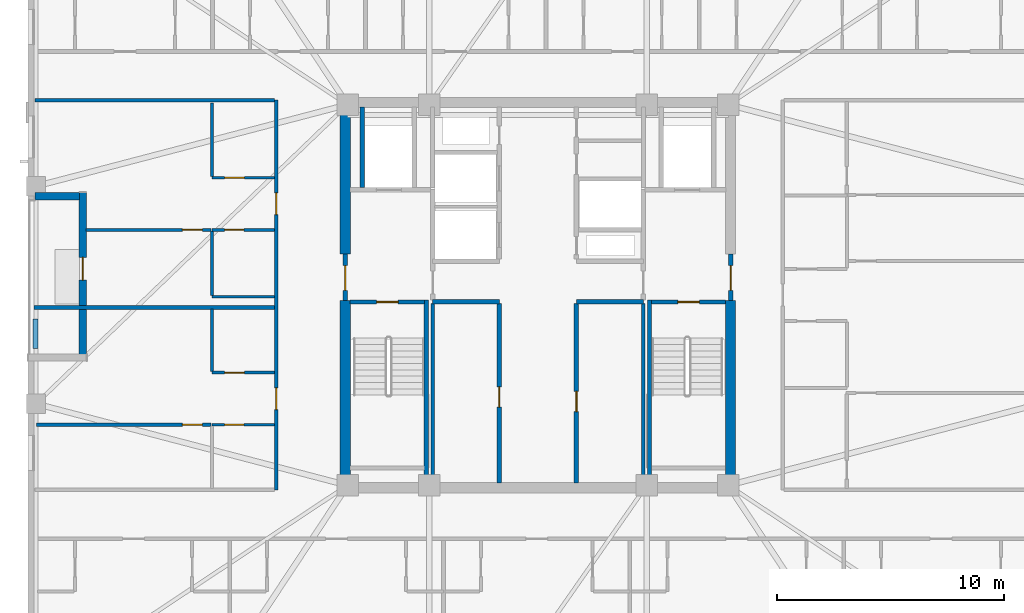
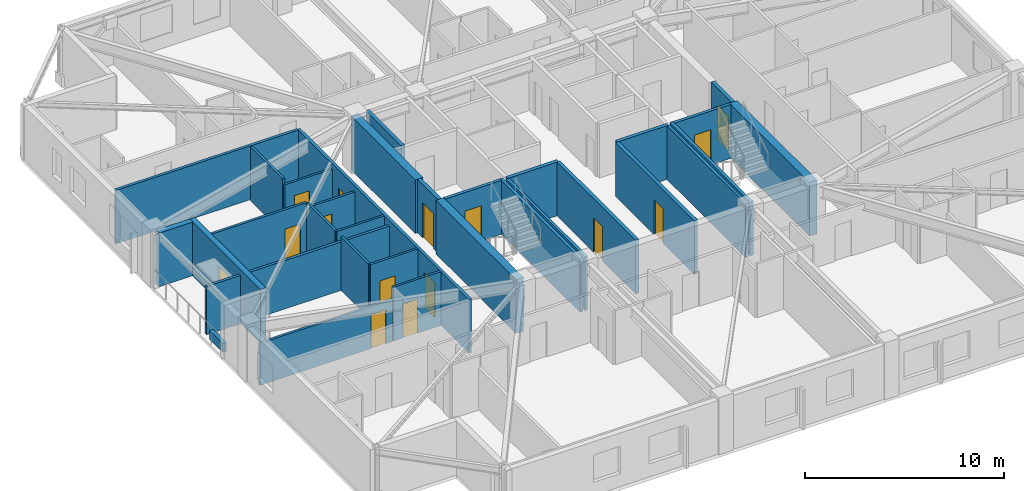
# One storey, part 8 of 17: 32 walls, 15 doors, 15 openings.
"""IFC4 building model written with IfcOpenShell, lengths in metres."""

from ifc_helpers import new_model, si_unit, direction, frame, frame_2d, origin, place, context, subcontext, project, spatial, rectangle, extrude, material, layer, layer_set, type_object, element, fill, save


model = new_model("IFC4")

# Units and contexts
model_context = context("Model", 3, precision=1e-05, world=origin(), true_north=direction((0.0, 1.0)))
body_context = subcontext(model_context, "Body", "Model", "MODEL_VIEW")
ifc_project = project(units=[si_unit("LENGTHUNIT", "METRE"), si_unit("AREAUNIT", "SQUARE_METRE"), si_unit("VOLUMEUNIT", "CUBIC_METRE"), si_unit("PLANEANGLEUNIT", "RADIAN"), si_unit("MASSUNIT", "GRAM", prefix="KILO")], contexts=[model_context])

# Site, building, storey
site_placement = place(None, origin())
site = spatial("IfcSite", under=ifc_project, at=site_placement, CompositionType="ELEMENT")
building_placement = place(site_placement, origin())
building = spatial("IfcBuilding", under=site, at=building_placement, Name="Cairnveth Concourse Tower", CompositionType="ELEMENT")
storey_placement = place(building_placement, frame((0.0, 0.0, 244.5)))
storey = spatial("IfcBuildingStorey", under=building, at=storey_placement, Name="L67", CompositionType="ELEMENT", Elevation=244.5)

# Walls
ifc_material_1 = material(Name="Gypsum Plasterboard Partition", Category="gypsum")
ifc_layer_1 = layer(ifc_material_1, 0.159912109375)
ifc_layer_set_1 = layer_set([ifc_layer_1], Name="Gypsum Plasterboard Partition")
wall_type_1 = type_object("IfcWallType", Name="ACOUSTIC PARTY WALL 180", PredefinedType="PARTITIONING", material=ifc_layer_set_1)
for number, where, z_axis, x_axis, name in (
    (1, (47.35009765625, 30.7099609375, 0.0), (0.0, 0.0, 1.0), (0.0, 1.0, 0.0), "Interior Wall IW-L67-025"),
    (2, (56.64990234375, 30.7099609375, 0.0), (0.0, 0.0, 1.0), (0.0, 1.0, 0.0), "Interior Wall IW-L67-026"),
):
    element("IfcWall", number, at=place(storey_placement, frame(where, z_axis=z_axis, x_axis=x_axis)), inside=storey, type_object=wall_type_1, Name=name, PredefinedType="PARTITIONING", context=body_context, shape_type="SweptSolid", body=[
        extrude(rectangle(XDim=7.905029296875, YDim=0.159912109375, at=frame_2d((3.95263671875, 0.0))), origin(), (0.0, 0.0, 1.0), 3.2900390625),
    ])

# Wall, openings, doors
wall_1_placement = place(storey_placement, frame((40.449951171875, 30.39990234375, 0.0), z_axis=(0.0, 0.0, 1.0), x_axis=(0.0, 1.0, 0.0)))
wall_1 = element("IfcWall", 3, at=wall_1_placement, inside=storey, type_object=wall_type_1, Name="Interior Wall IW-L67-036", PredefinedType="PARTITIONING", context=body_context, shape_type="SweptSolid", body=[
    extrude(rectangle(XDim=17.2001953125, YDim=0.159912109375, at=frame_2d((8.60009765625, 0.0))), origin(), (0.0, 0.0, 1.0), 3.2900390625),
])
opening_1_placement = place(wall_1_placement, frame((3.544921875, 0.0, 0.0)))
opening_1 = element("IfcOpeningElement", 4, at=opening_1_placement, cuts=wall_1, Name="Opening ID10", PredefinedType="OPENING", context=body_context, shape_type="SweptSolid", body=[
    extrude(rectangle(XDim=0.9599609375, YDim=2.179931640625, at=frame_2d((0.47998046875, 1.08984375))), frame((0.0, 0.08984375, 0.0), z_axis=(0.0, -1.0, 0.0), x_axis=(1.0, 0.0, 0.0)), (0.0, 0.0, 1.0), 0.179931640625),
])
opening_2_placement = place(wall_1_placement, frame((12.14501953125, 0.0, 0.0)))
opening_2 = element("IfcOpeningElement", 5, at=opening_2_placement, cuts=wall_1, Name="Opening ID10", PredefinedType="OPENING", context=body_context, shape_type="SweptSolid", body=[
    extrude(rectangle(XDim=0.9599609375, YDim=2.179931640625, at=frame_2d((0.47998046875, 1.08984375))), frame((0.0, 0.08984375, 0.0), z_axis=(0.0, -1.0, 0.0), x_axis=(1.0, 0.0, 0.0)), (0.0, 0.0, 1.0), 0.179931640625),
])
ifc_material_2 = material(Name="Solid Core Hardwood Timber Leaf", Category="wood")
door_type_1 = type_object("IfcDoorType", Name="FLAT ENTRANCE DOOR 960X2150", OperationType="NOTDEFINED", PredefinedType="DOOR", material=ifc_material_2)
door_1_placement = place(opening_1_placement, origin())
door_1 = element("IfcDoor", 6, at=door_1_placement, inside=storey, type_object=door_type_1, Name="Apartment L67W1 Entrance Door", OperationType="SINGLE_SWING_LEFT", OverallHeight=2.179931640625, OverallWidth=0.9599609375, PredefinedType="DOOR", context=body_context, shape_type="SweptSolid", body=[
    extrude(rectangle(XDim=0.9599609375, YDim=2.179931640625, at=frame_2d((0.47998046875, 1.08984375))), frame((0.0, 0.02490234375, 0.0), z_axis=(0.0, -1.0, 0.0), x_axis=(1.0, 0.0, 0.0)), (0.0, 0.0, 1.0), 0.050048828125),
])
fill(opening_1, door_1)
door_2_placement = place(opening_2_placement, origin())
door_2 = element("IfcDoor", 7, at=door_2_placement, inside=storey, type_object=door_type_1, Name="Apartment L67W2 Entrance Door", OperationType="SINGLE_SWING_LEFT", OverallHeight=2.179931640625, OverallWidth=0.9599609375, PredefinedType="DOOR", context=body_context, shape_type="SweptSolid", body=[
    extrude(rectangle(XDim=0.9599609375, YDim=2.179931640625, at=frame_2d((0.47998046875, 1.08984375))), frame((0.0, 0.02490234375, 0.0), z_axis=(0.0, -1.0, 0.0), x_axis=(1.0, 0.0, 0.0)), (0.0, 0.0, 1.0), 0.050048828125),
])
fill(opening_2, door_2)

# Walls
wall_2_placement = place(storey_placement, frame((29.804931640625, 47.60009765625, 0.0), z_axis=(0.0, 0.0, 1.0), x_axis=(1.0, 0.0, 0.0)))
element("IfcWall", 8, at=wall_2_placement, inside=storey, type_object=wall_type_1, Name="Interior Wall IW-L67-039", PredefinedType="PARTITIONING", context=body_context, shape_type="SweptSolid", body=[
    extrude(rectangle(XDim=10.580078125, YDim=0.159912109375, at=frame_2d((5.2900390625, 0.0))), origin(), (0.0, 0.0, 1.0), 3.2900390625),
])
wall_3_placement = place(storey_placement, frame((29.77001953125, 38.449951171875, 0.0), z_axis=(0.0, 0.0, 1.0), x_axis=(1.0, 0.0, 0.0)))
element("IfcWall", 9, at=wall_3_placement, inside=storey, type_object=wall_type_1, Name="Interior Wall IW-L67-095", PredefinedType="PARTITIONING", context=body_context, shape_type="SweptSolid", body=[
    extrude(rectangle(XDim=10.60009765625, YDim=0.159912109375, at=frame_2d((5.300048828125, 0.0))), origin(), (0.0, 0.0, 1.0), 2.9580078125),
])
ifc_material_3 = material(Name="Concrete N65 (65 MPa)", Category="concrete")
ifc_layer_2 = layer(ifc_material_3, 0.449951171875)
ifc_layer_set_2 = layer_set([ifc_layer_2], Name="Concrete N65 (65 MPa)")
wall_type_2 = type_object("IfcWallType", Name="CORE SHEAR WALL 450", PredefinedType="SHEAR", material=ifc_layer_set_2)
wall_4_placement = place(storey_placement, frame((43.5, 30.715087890625, 0.0), z_axis=(0.0, 0.0, 1.0), x_axis=(0.0, 1.0, 0.0)))
element("IfcWall", 10, at=wall_4_placement, inside=storey, type_object=wall_type_2, Name="Core West Shear Wall S L67", PredefinedType="SHEAR", context=body_context, shape_type="SweptSolid", body=[
    extrude(rectangle(XDim=8.034912109375, YDim=0.449951171875, at=frame_2d((4.017578125, 0.0))), origin(), (0.0, 0.0, 1.0), 3.2900390625),
])
wall_5_placement = place(storey_placement, frame((43.5, 40.800048828125, 0.0), z_axis=(0.0, 0.0, 1.0), x_axis=(0.0, 1.0, 0.0)))
element("IfcWall", 11, at=wall_5_placement, inside=storey, type_object=wall_type_2, Name="Core West Shear Wall N L67", PredefinedType="SHEAR", context=body_context, shape_type="SweptSolid", body=[
    extrude(rectangle(XDim=6.48486328125, YDim=0.449951171875, at=frame_2d((3.242431640625, 0.0))), origin(), (0.0, 0.0, 1.0), 3.2900390625),
])
wall_6_placement = place(storey_placement, frame((60.5, 30.715087890625, 0.0), z_axis=(0.0, 0.0, 1.0), x_axis=(0.0, 1.0, 0.0)))
element("IfcWall", 12, at=wall_6_placement, inside=storey, type_object=wall_type_2, Name="Core East Shear Wall S L67", PredefinedType="SHEAR", context=body_context, shape_type="SweptSolid", body=[
    extrude(rectangle(XDim=8.034912109375, YDim=0.449951171875, at=frame_2d((4.017578125, 0.0))), origin(), (0.0, 0.0, 1.0), 3.2900390625),
])

# Wall, opening, door
ifc_material_4 = material(Name="Concrete N50 (50 MPa)", Category="concrete")
ifc_layer_3 = layer(ifc_material_4, 0.179931640625)
ifc_layer_set_3 = layer_set([ifc_layer_3], Name="Concrete N50 (50 MPa)")
wall_type_3 = type_object("IfcWallType", Name="FIRE SHAFT WALL 180", PredefinedType="SOLIDWALL", material=ifc_layer_set_3)
wall_7_placement = place(storey_placement, frame((43.715087890625, 38.68994140625, 0.0), z_axis=(0.0, 0.0, 1.0), x_axis=(1.0, 0.0, 0.0)))
wall_7 = element("IfcWall", 13, at=wall_7_placement, inside=storey, type_object=wall_type_3, Name="Stair ST-1 Shaft Wall NEAR L67", PredefinedType="SOLIDWALL", context=body_context, shape_type="SweptSolid", body=[
    extrude(rectangle(XDim=3.280029296875, YDim=0.179931640625, at=frame_2d((1.64013671875, 0.0))), origin(), (0.0, 0.0, 1.0), 3.2900390625),
])
opening_3_placement = place(wall_7_placement, frame((1.1650390625, 0.0, 0.0)))
opening_3 = element("IfcOpeningElement", 14, at=opening_3_placement, cuts=wall_7, Name="Opening ID12", PredefinedType="OPENING", context=body_context, shape_type="SweptSolid", body=[
    extrude(rectangle(XDim=0.949951171875, YDim=2.14990234375, at=frame_2d((0.47509765625, 1.074951171875))), frame((0.0, 0.099853515625, 0.0), z_axis=(0.0, -1.0, 0.0), x_axis=(1.0, 0.0, 0.0)), (0.0, 0.0, 1.0), 0.199951171875),
])
ifc_material_5 = material(Name="Steel Grade 350", Category="steel")
door_type_2 = type_object("IfcDoorType", Name="FIRE STAIR DOOR 950X2150", OperationType="NOTDEFINED", PredefinedType="DOOR", material=ifc_material_5)
door_3_placement = place(opening_3_placement, origin())
door_3 = element("IfcDoor", 15, at=door_3_placement, inside=storey, type_object=door_type_2, Name="Stair ST-1 Fire Door L67", OperationType="SINGLE_SWING_LEFT", OverallHeight=2.14990234375, OverallWidth=0.949951171875, PredefinedType="DOOR", context=body_context, shape_type="SweptSolid", body=[
    extrude(rectangle(XDim=0.949951171875, YDim=2.14990234375, at=frame_2d((0.47509765625, 1.074951171875))), frame((0.0, 0.02490234375, 0.0), z_axis=(0.0, -1.0, 0.0), x_axis=(1.0, 0.0, 0.0)), (0.0, 0.0, 1.0), 0.050048828125),
])
fill(opening_3, door_3)

# Wall
wall_8_placement = place(storey_placement, frame((47.070068359375, 38.780029296875, 0.0), z_axis=(0.0, 0.0, 1.0), x_axis=(0.0, -1.0, 0.0)))
element("IfcWall", 16, at=wall_8_placement, inside=storey, type_object=wall_type_3, Name="Stair ST-1 Shaft Wall RGHT L67", PredefinedType="SOLIDWALL", context=body_context, shape_type="SweptSolid", body=[
    extrude(rectangle(XDim=8.067138671875, YDim=0.179931640625, at=frame_2d((4.03369140625, 0.0))), origin(), (0.0, 0.0, 1.0), 3.2900390625),
])

# Wall, opening, door
wall_9_placement = place(storey_placement, frame((57.0048828125, 38.68994140625, 0.0), z_axis=(0.0, 0.0, 1.0), x_axis=(1.0, 0.0, 0.0)))
wall_9 = element("IfcWall", 17, at=wall_9_placement, inside=storey, type_object=wall_type_3, Name="Stair ST-2 Shaft Wall NEAR L67", PredefinedType="SOLIDWALL", context=body_context, shape_type="SweptSolid", body=[
    extrude(rectangle(XDim=3.280029296875, YDim=0.179931640625, at=frame_2d((1.64013671875, 0.0))), origin(), (0.0, 0.0, 1.0), 3.2900390625),
])
opening_4_placement = place(wall_9_placement, frame((1.1650390625, 0.0, 0.0)))
opening_4 = element("IfcOpeningElement", 18, at=opening_4_placement, cuts=wall_9, Name="Opening ID12", PredefinedType="OPENING", context=body_context, shape_type="SweptSolid", body=[
    extrude(rectangle(XDim=0.949951171875, YDim=2.14990234375, at=frame_2d((0.47509765625, 1.074951171875))), frame((0.0, 0.099853515625, 0.0), z_axis=(0.0, -1.0, 0.0), x_axis=(1.0, 0.0, 0.0)), (0.0, 0.0, 1.0), 0.199951171875),
])
door_4_placement = place(opening_4_placement, origin())
door_4 = element("IfcDoor", 19, at=door_4_placement, inside=storey, type_object=door_type_2, Name="Stair ST-2 Fire Door L67", OperationType="SINGLE_SWING_RIGHT", OverallHeight=2.14990234375, OverallWidth=0.949951171875, PredefinedType="DOOR", context=body_context, shape_type="SweptSolid", body=[
    extrude(rectangle(XDim=0.949951171875, YDim=2.14990234375, at=frame_2d((0.47509765625, 1.074951171875))), frame((0.0, 0.02490234375, 0.0), z_axis=(0.0, -1.0, 0.0), x_axis=(1.0, 0.0, 0.0)), (0.0, 0.0, 1.0), 0.050048828125),
])
fill(opening_4, door_4)

# Walls
wall_10_placement = place(storey_placement, frame((56.929931640625, 38.780029296875, 0.0), z_axis=(0.0, 0.0, 1.0), x_axis=(0.0, -1.0, 0.0)))
element("IfcWall", 20, at=wall_10_placement, inside=storey, type_object=wall_type_3, Name="Stair ST-2 Shaft Wall LEFT L67", PredefinedType="SOLIDWALL", context=body_context, shape_type="SweptSolid", body=[
    extrude(rectangle(XDim=8.067138671875, YDim=0.179931640625, at=frame_2d((4.03369140625, 0.0))), origin(), (0.0, 0.0, 1.0), 3.2900390625),
])
ifc_layer_4 = layer(ifc_material_4, 0.199951171875)
ifc_layer_set_4 = layer_set([ifc_layer_4], Name="Concrete N50 (50 MPa)")
wall_type_4 = type_object("IfcWallType", Name="FIRE SHAFT WALL 200", PredefinedType="SOLIDWALL", material=ifc_layer_set_4)
for number, where, z_axis, x_axis, name in (
    (21, (47.35009765625, 38.699951171875, 0.0), (0.0, 0.0, 1.0), (1.0, 0.0, 0.0), "Interior Wall IW-L67-007"),
    (22, (53.699951171875, 38.699951171875, 0.0), (0.0, 0.0, 1.0), (1.0, 0.0, 0.0), "Interior Wall IW-L67-009"),
):
    element("IfcWall", number, at=place(storey_placement, frame(where, z_axis=z_axis, x_axis=x_axis)), inside=storey, type_object=wall_type_4, Name=name, PredefinedType="SOLIDWALL", context=body_context, shape_type="SweptSolid", body=[
        extrude(rectangle(XDim=2.949951171875, YDim=0.199951171875, at=frame_2d((1.47509765625, 0.0))), origin(), (0.0, 0.0, 1.0), 3.2900390625),
    ])

# Wall, opening, door
wall_11_placement = place(storey_placement, frame((50.300048828125, 30.7099609375, 0.0), z_axis=(0.0, 0.0, 1.0), x_axis=(0.0, 1.0, 0.0)))
wall_11 = element("IfcWall", 23, at=wall_11_placement, inside=storey, type_object=wall_type_4, Name="Interior Wall IW-L67-011", PredefinedType="SOLIDWALL", context=body_context, shape_type="SweptSolid", body=[
    extrude(rectangle(XDim=7.905029296875, YDim=0.199951171875, at=frame_2d((3.95263671875, 0.0))), origin(), (0.0, 0.0, 1.0), 3.2900390625),
])
opening_5_placement = place(wall_11_placement, frame((3.340087890625, 0.0, 0.0)))
opening_5 = element("IfcOpeningElement", 24, at=opening_5_placement, cuts=wall_11, Name="Opening ID16", PredefinedType="OPENING", context=body_context, shape_type="SweptSolid", body=[
    extrude(rectangle(XDim=0.89990234375, YDim=2.1201171875, at=frame_2d((0.449951171875, 1.06005859375))), frame((0.0, 0.10986328125, 0.0), z_axis=(0.0, -1.0, 0.0), x_axis=(1.0, 0.0, 0.0)), (0.0, 0.0, 1.0), 0.219970703125),
])
door_type_3 = type_object("IfcDoorType", Name="CORE SERVICE DOOR 900X2100", OperationType="NOTDEFINED", PredefinedType="DOOR", material=ifc_material_5)
door_5_placement = place(opening_5_placement, origin())
door_5 = element("IfcDoor", 25, at=door_5_placement, inside=storey, type_object=door_type_3, Name="Linen Pantry Suite Door L67", OperationType="SINGLE_SWING_LEFT", OverallHeight=2.1201171875, OverallWidth=0.89990234375, PredefinedType="DOOR", context=body_context, shape_type="SweptSolid", body=[
    extrude(rectangle(XDim=0.89990234375, YDim=2.1201171875, at=frame_2d((0.449951171875, 1.06005859375))), frame((0.0, 0.02490234375, 0.0), z_axis=(0.0, -1.0, 0.0), x_axis=(1.0, 0.0, 0.0)), (0.0, 0.0, 1.0), 0.050048828125),
])
fill(opening_5, door_5)

wall_12_placement = place(storey_placement, frame((53.699951171875, 30.7099609375, 0.0), z_axis=(0.0, 0.0, 1.0), x_axis=(0.0, 1.0, 0.0)))
wall_12 = element("IfcWall", 26, at=wall_12_placement, inside=storey, type_object=wall_type_4, Name="Interior Wall IW-L67-012", PredefinedType="SOLIDWALL", context=body_context, shape_type="SweptSolid", body=[
    extrude(rectangle(XDim=7.905029296875, YDim=0.199951171875, at=frame_2d((3.95263671875, 0.0))), origin(), (0.0, 0.0, 1.0), 3.2900390625),
])
opening_6_placement = place(wall_12_placement, frame((3.139892578125, 0.0, 0.0)))
opening_6 = element("IfcOpeningElement", 27, at=opening_6_placement, cuts=wall_12, Name="Opening ID16", PredefinedType="OPENING", context=body_context, shape_type="SweptSolid", body=[
    extrude(rectangle(XDim=0.89990234375, YDim=2.1201171875, at=frame_2d((0.449951171875, 1.06005859375))), frame((0.0, 0.10986328125, 0.0), z_axis=(0.0, -1.0, 0.0), x_axis=(1.0, 0.0, 0.0)), (0.0, 0.0, 1.0), 0.219970703125),
])
door_6_placement = place(opening_6_placement, origin())
door_6 = element("IfcDoor", 28, at=door_6_placement, inside=storey, type_object=door_type_3, Name="Sky Pantry Door L67", OperationType="SINGLE_SWING_RIGHT", OverallHeight=2.1201171875, OverallWidth=0.89990234375, PredefinedType="DOOR", context=body_context, shape_type="SweptSolid", body=[
    extrude(rectangle(XDim=0.89990234375, YDim=2.1201171875, at=frame_2d((0.449951171875, 1.06005859375))), frame((0.0, 0.02490234375, 0.0), z_axis=(0.0, -1.0, 0.0), x_axis=(1.0, 0.0, 0.0)), (0.0, 0.0, 1.0), 0.050048828125),
])
fill(opening_6, door_6)

wall_13_placement = place(storey_placement, frame((43.5, 38.75, 0.0), z_axis=(0.0, 0.0, 1.0), x_axis=(0.0, 1.0, 0.0)))
wall_13 = element("IfcWall", 29, at=wall_13_placement, inside=storey, type_object=wall_type_4, Name="Interior Wall IW-L67-015", PredefinedType="SOLIDWALL", context=body_context, shape_type="SweptSolid", body=[
    extrude(rectangle(XDim=2.050048828125, YDim=0.199951171875, at=frame_2d((1.02490234375, 0.0))), origin(), (0.0, 0.0, 1.0), 3.2900390625),
])
opening_7_placement = place(wall_13_placement, frame((0.449951171875, 0.0, 0.0)))
opening_7 = element("IfcOpeningElement", 30, at=opening_7_placement, cuts=wall_13, Name="Opening ID06", PredefinedType="OPENING", context=body_context, shape_type="SweptSolid", body=[
    extrude(rectangle(XDim=1.10009765625, YDim=2.14990234375, at=frame_2d((0.550048828125, 1.074951171875))), frame((0.0, 0.10986328125, 0.0), z_axis=(0.0, -1.0, 0.0), x_axis=(1.0, 0.0, 0.0)), (0.0, 0.0, 1.0), 0.219970703125),
])
door_type_4 = type_object("IfcDoorType", Name="FIRE CORRIDOR DOOR 1100X2150", OperationType="NOTDEFINED", PredefinedType="DOOR", material=ifc_material_5)
door_7_placement = place(opening_7_placement, origin())
door_7 = element("IfcDoor", 31, at=door_7_placement, inside=storey, type_object=door_type_4, Name="West Wing to FF Lobby Door L67", OperationType="SINGLE_SWING_LEFT", OverallHeight=2.14990234375, OverallWidth=1.10009765625, PredefinedType="DOOR", context=body_context, shape_type="SweptSolid", body=[
    extrude(rectangle(XDim=1.10009765625, YDim=2.14990234375, at=frame_2d((0.550048828125, 1.074951171875))), frame((0.0, 0.02490234375, 0.0), z_axis=(0.0, -1.0, 0.0), x_axis=(1.0, 0.0, 0.0)), (0.0, 0.0, 1.0), 0.050048828125),
])
fill(opening_7, door_7)

# Wall
wall_14_placement = place(storey_placement, frame((44.25, 43.735107421875, 0.0), z_axis=(0.0, 0.0, 1.0), x_axis=(0.0, 1.0, 0.0)))
element("IfcWall", 32, at=wall_14_placement, inside=storey, type_object=wall_type_4, Name="Interior Wall IW-L67-019", PredefinedType="SOLIDWALL", context=body_context, shape_type="SweptSolid", body=[
    extrude(rectangle(XDim=3.554931640625, YDim=0.199951171875, at=frame_2d((1.77734375, 0.0))), origin(), (0.0, 0.0, 1.0), 3.2900390625),
])

# Wall, opening, door
wall_15_placement = place(storey_placement, frame((60.5, 38.75, 0.0), z_axis=(0.0, 0.0, 1.0), x_axis=(0.0, 1.0, 0.0)))
wall_15 = element("IfcWall", 33, at=wall_15_placement, inside=storey, type_object=wall_type_4, Name="Interior Wall IW-L67-020", PredefinedType="SOLIDWALL", context=body_context, shape_type="SweptSolid", body=[
    extrude(rectangle(XDim=2.050048828125, YDim=0.199951171875, at=frame_2d((1.02490234375, 0.0))), origin(), (0.0, 0.0, 1.0), 3.2900390625),
])
opening_8_placement = place(wall_15_placement, frame((0.449951171875, 0.0, 0.0)))
opening_8 = element("IfcOpeningElement", 34, at=opening_8_placement, cuts=wall_15, Name="Opening ID06", PredefinedType="OPENING", context=body_context, shape_type="SweptSolid", body=[
    extrude(rectangle(XDim=1.10009765625, YDim=2.14990234375, at=frame_2d((0.550048828125, 1.074951171875))), frame((0.0, 0.10986328125, 0.0), z_axis=(0.0, -1.0, 0.0), x_axis=(1.0, 0.0, 0.0)), (0.0, 0.0, 1.0), 0.219970703125),
])
door_8_placement = place(opening_8_placement, origin())
door_8 = element("IfcDoor", 35, at=door_8_placement, inside=storey, type_object=door_type_4, Name="East Wing to FF Lobby Door L67", OperationType="SINGLE_SWING_RIGHT", OverallHeight=2.14990234375, OverallWidth=1.10009765625, PredefinedType="DOOR", context=body_context, shape_type="SweptSolid", body=[
    extrude(rectangle(XDim=1.10009765625, YDim=2.14990234375, at=frame_2d((0.550048828125, 1.074951171875))), frame((0.0, 0.02490234375, 0.0), z_axis=(0.0, -1.0, 0.0), x_axis=(1.0, 0.0, 0.0)), (0.0, 0.0, 1.0), 0.050048828125),
])
fill(opening_8, door_8)

ifc_layer_5 = layer(ifc_material_1, 0.139892578125)
ifc_layer_set_5 = layer_set([ifc_layer_5], Name="Gypsum Plasterboard Partition")
wall_type_5 = type_object("IfcWallType", Name="GYPSUM STUD PARTITION 140", PredefinedType="PARTITIONING", material=ifc_layer_set_5)
wall_16_placement = place(storey_placement, frame((29.8798828125, 33.27490234375, 0.0), z_axis=(0.0, 0.0, 1.0), x_axis=(1.0, 0.0, 0.0)))
wall_16 = element("IfcWall", 36, at=wall_16_placement, inside=storey, type_object=wall_type_5, Name="Interior Wall IW-L67-100", PredefinedType="PARTITIONING", context=body_context, shape_type="SweptSolid", body=[
    extrude(rectangle(XDim=7.690185546875, YDim=0.139892578125, at=frame_2d((3.84521484375, 0.0))), origin(), (0.0, 0.0, 1.0), 2.572998046875),
])
opening_9_placement = place(wall_16_placement, frame((6.429931640625, 0.0, 0.0)))
opening_9 = element("IfcOpeningElement", 37, at=opening_9_placement, cuts=wall_16, Name="Opening ID18", PredefinedType="OPENING", context=body_context, shape_type="SweptSolid", body=[
    extrude(rectangle(XDim=0.8798828125, YDim=2.10009765625, at=frame_2d((0.43994140625, 1.050048828125))), frame((0.0, 0.079833984375, 0.0), z_axis=(0.0, -1.0, 0.0), x_axis=(1.0, 0.0, 0.0)), (0.0, 0.0, 1.0), 0.159912109375),
])
door_type_5 = type_object("IfcDoorType", Name="INTERIOR SINGLE DOOR 880X2100", OperationType="NOTDEFINED", PredefinedType="DOOR", material=ifc_material_2)
door_9_placement = place(opening_9_placement, origin())
door_9 = element("IfcDoor", 38, at=door_9_placement, inside=storey, type_object=door_type_5, Name="L67W1 Master Bedroom Door", OperationType="SINGLE_SWING_RIGHT", OverallHeight=2.10009765625, OverallWidth=0.8798828125, PredefinedType="DOOR", context=body_context, shape_type="SweptSolid", body=[
    extrude(rectangle(XDim=0.8798828125, YDim=2.10009765625, at=frame_2d((0.43994140625, 1.050048828125))), frame((0.0, 0.02490234375, 0.0), z_axis=(0.0, -1.0, 0.0), x_axis=(1.0, 0.0, 0.0)), (0.0, 0.0, 1.0), 0.050048828125),
])
fill(opening_9, door_9)

wall_17_placement = place(storey_placement, frame((32.054931640625, 41.875, 0.0), z_axis=(0.0, 0.0, 1.0), x_axis=(1.0, 0.0, 0.0)))
wall_17 = element("IfcWall", 39, at=wall_17_placement, inside=storey, type_object=wall_type_5, Name="Interior Wall IW-L67-106", PredefinedType="PARTITIONING", context=body_context, shape_type="SweptSolid", body=[
    extrude(rectangle(XDim=5.51513671875, YDim=0.139892578125, at=frame_2d((2.757568359375, 0.0))), origin(), (0.0, 0.0, 1.0), 3.2900390625),
])
opening_10_placement = place(wall_17_placement, frame((4.2548828125, 0.0, 0.0)))
opening_10 = element("IfcOpeningElement", 40, at=opening_10_placement, cuts=wall_17, Name="Opening ID18", PredefinedType="OPENING", context=body_context, shape_type="SweptSolid", body=[
    extrude(rectangle(XDim=0.8798828125, YDim=2.10009765625, at=frame_2d((0.43994140625, 1.050048828125))), frame((0.0, 0.079833984375, 0.0), z_axis=(0.0, -1.0, 0.0), x_axis=(1.0, 0.0, 0.0)), (0.0, 0.0, 1.0), 0.159912109375),
])
door_10_placement = place(opening_10_placement, origin())
door_10 = element("IfcDoor", 41, at=door_10_placement, inside=storey, type_object=door_type_5, Name="L67W2 Master Bedroom Door", OperationType="SINGLE_SWING_RIGHT", OverallHeight=2.10009765625, OverallWidth=0.8798828125, PredefinedType="DOOR", context=body_context, shape_type="SweptSolid", body=[
    extrude(rectangle(XDim=0.8798828125, YDim=2.10009765625, at=frame_2d((0.43994140625, 1.050048828125))), frame((0.0, 0.02490234375, 0.0), z_axis=(0.0, -1.0, 0.0), x_axis=(1.0, 0.0, 0.0)), (0.0, 0.0, 1.0), 0.050048828125),
])
fill(opening_10, door_10)

# Wall
ifc_material_6 = material(Name="Dressed Melbourne Bluestone Cladding", Category="masonry")
ifc_layer_6 = layer(ifc_material_6, 0.219970703125)
ifc_layer_set_6 = layer_set([ifc_layer_6], Name="Dressed Melbourne Bluestone Cladding")
wall_type_6 = type_object("IfcWallType", Name="TERRACE PLANTER CURB WALL 220", PredefinedType="PARAPET", material=ifc_layer_set_6)
wall_18_placement = place(storey_placement, frame((29.820068359375, 36.64990234375, 0.0), z_axis=(0.0, 0.0, 1.0), x_axis=(0.0, 1.0, 0.0)))
element("IfcWall", 42, at=wall_18_placement, inside=storey, type_object=wall_type_6, Name="Exterior Wall PLNT-L67-TERR", PredefinedType="PARAPET", context=body_context, shape_type="SweptSolid", body=[
    extrude(rectangle(XDim=1.300048828125, YDim=0.219970703125, at=frame_2d((0.64990234375, 0.0))), origin(), (0.0, 0.0, 1.0), 0.550048828125),
])

# Wall, opening, door
ifc_layer_7 = layer(ifc_material_1, 0.1298828125)
ifc_layer_set_7 = layer_set([ifc_layer_7], Name="Gypsum Plasterboard Partition")
wall_type_7 = type_object("IfcWallType", Name="WET AREA PARTITION 140", PredefinedType="PLUMBINGWALL", material=ifc_layer_set_7)
wall_19_placement = place(storey_placement, frame((37.6201171875, 33.27490234375, 0.0), z_axis=(0.0, 0.0, 1.0), x_axis=(1.0, 0.0, 0.0)))
wall_19 = element("IfcWall", 43, at=wall_19_placement, inside=storey, type_object=wall_type_7, Name="Interior Wall IW-L67-096", PredefinedType="PLUMBINGWALL", context=body_context, shape_type="SweptSolid", body=[
    extrude(rectangle(XDim=2.75, YDim=0.1298828125, at=frame_2d((1.375, 0.0))), origin(), (0.0, 0.0, 1.0), 3.2900390625),
])
opening_11_placement = place(wall_19_placement, frame((0.550048828125, 0.0, 0.0)))
opening_11 = element("IfcOpeningElement", 44, at=opening_11_placement, cuts=wall_19, Name="Opening ID21", PredefinedType="OPENING", context=body_context, shape_type="SweptSolid", body=[
    extrude(rectangle(XDim=0.85009765625, YDim=2.080078125, at=frame_2d((0.425048828125, 1.0400390625))), frame((0.0, 0.074951171875, 0.0), z_axis=(0.0, -1.0, 0.0), x_axis=(1.0, 0.0, 0.0)), (0.0, 0.0, 1.0), 0.14990234375),
])
door_type_6 = type_object("IfcDoorType", Name="INTERIOR WC DOOR 850X2100", OperationType="NOTDEFINED", PredefinedType="DOOR", material=ifc_material_2)
door_11_placement = place(opening_11_placement, origin())
door_11 = element("IfcDoor", 45, at=door_11_placement, inside=storey, type_object=door_type_6, Name="L67W1 Bathroom Door", OperationType="SINGLE_SWING_RIGHT", OverallHeight=2.080078125, OverallWidth=0.85009765625, PredefinedType="DOOR", context=body_context, shape_type="SweptSolid", body=[
    extrude(rectangle(XDim=0.85009765625, YDim=2.080078125, at=frame_2d((0.425048828125, 1.0400390625))), frame((0.0, 0.02490234375, 0.0), z_axis=(0.0, -1.0, 0.0), x_axis=(1.0, 0.0, 0.0)), (0.0, 0.0, 1.0), 0.050048828125),
])
fill(opening_11, door_11)

wall_20_placement = place(storey_placement, frame((37.6201171875, 35.574951171875, 0.0), z_axis=(0.0, 0.0, 1.0), x_axis=(1.0, 0.0, 0.0)))
wall_20 = element("IfcWall", 46, at=wall_20_placement, inside=storey, type_object=wall_type_7, Name="Interior Wall IW-L67-098", PredefinedType="PLUMBINGWALL", context=body_context, shape_type="SweptSolid", body=[
    extrude(rectangle(XDim=2.75, YDim=0.1298828125, at=frame_2d((1.375, 0.0))), origin(), (0.0, 0.0, 1.0), 3.2900390625),
])
opening_12_placement = place(wall_20_placement, frame((0.550048828125, 0.0, 0.0)))
opening_12 = element("IfcOpeningElement", 47, at=opening_12_placement, cuts=wall_20, Name="Opening ID18", PredefinedType="OPENING", context=body_context, shape_type="SweptSolid", body=[
    extrude(rectangle(XDim=0.8798828125, YDim=2.10009765625, at=frame_2d((0.43994140625, 1.050048828125))), frame((0.0, 0.074951171875, 0.0), z_axis=(0.0, -1.0, 0.0), x_axis=(1.0, 0.0, 0.0)), (0.0, 0.0, 1.0), 0.14990234375),
])
door_12_placement = place(opening_12_placement, origin())
door_12 = element("IfcDoor", 48, at=door_12_placement, inside=storey, type_object=door_type_5, Name="L67W1 Kitchen Door", OperationType="SINGLE_SWING_LEFT", OverallHeight=2.10009765625, OverallWidth=0.8798828125, PredefinedType="DOOR", context=body_context, shape_type="SweptSolid", body=[
    extrude(rectangle(XDim=0.8798828125, YDim=2.10009765625, at=frame_2d((0.43994140625, 1.050048828125))), frame((0.0, 0.02490234375, 0.0), z_axis=(0.0, -1.0, 0.0), x_axis=(1.0, 0.0, 0.0)), (0.0, 0.0, 1.0), 0.050048828125),
])
fill(opening_12, door_12)

# Walls
wall_21_placement = place(storey_placement, frame((37.6201171875, 35.625, 0.0), z_axis=(0.0, 0.0, 1.0), x_axis=(0.0, 1.0, 0.0)))
element("IfcWall", 49, at=wall_21_placement, inside=storey, type_object=wall_type_7, Name="Interior Wall IW-L67-099", PredefinedType="PLUMBINGWALL", context=body_context, shape_type="SweptSolid", body=[
    extrude(rectangle(XDim=2.760009765625, YDim=0.1298828125, at=frame_2d((1.3798828125, 0.0))), origin(), (0.0, 0.0, 1.0), 3.2900390625),
])
wall_22_placement = place(storey_placement, frame((37.6201171875, 38.925048828125, 0.0), z_axis=(0.0, 0.0, 1.0), x_axis=(1.0, 0.0, 0.0)))
element("IfcWall", 50, at=wall_22_placement, inside=storey, type_object=wall_type_7, Name="Interior Wall IW-L67-101", PredefinedType="PLUMBINGWALL", context=body_context, shape_type="SweptSolid", body=[
    extrude(rectangle(XDim=2.75, YDim=0.1298828125, at=frame_2d((1.375, 0.0))), origin(), (0.0, 0.0, 1.0), 3.2900390625),
])

# Wall, opening, door
wall_23_placement = place(storey_placement, frame((37.6201171875, 41.875, 0.0), z_axis=(0.0, 0.0, 1.0), x_axis=(1.0, 0.0, 0.0)))
wall_23 = element("IfcWall", 51, at=wall_23_placement, inside=storey, type_object=wall_type_7, Name="Interior Wall IW-L67-102", PredefinedType="PLUMBINGWALL", context=body_context, shape_type="SweptSolid", body=[
    extrude(rectangle(XDim=2.75, YDim=0.1298828125, at=frame_2d((1.375, 0.0))), origin(), (0.0, 0.0, 1.0), 2.9580078125),
])
opening_13_placement = place(wall_23_placement, frame((0.550048828125, 0.0, 0.0)))
opening_13 = element("IfcOpeningElement", 52, at=opening_13_placement, cuts=wall_23, Name="Opening ID21", PredefinedType="OPENING", context=body_context, shape_type="SweptSolid", body=[
    extrude(rectangle(XDim=0.85009765625, YDim=2.080078125, at=frame_2d((0.425048828125, 1.0400390625))), frame((0.0, 0.074951171875, 0.0), z_axis=(0.0, -1.0, 0.0), x_axis=(1.0, 0.0, 0.0)), (0.0, 0.0, 1.0), 0.14990234375),
])
door_13_placement = place(opening_13_placement, origin())
door_13 = element("IfcDoor", 53, at=door_13_placement, inside=storey, type_object=door_type_6, Name="L67W2 Bathroom Door", OperationType="SINGLE_SWING_RIGHT", OverallHeight=2.080078125, OverallWidth=0.85009765625, PredefinedType="DOOR", context=body_context, shape_type="SweptSolid", body=[
    extrude(rectangle(XDim=0.85009765625, YDim=2.080078125, at=frame_2d((0.425048828125, 1.0400390625))), frame((0.0, 0.02490234375, 0.0), z_axis=(0.0, -1.0, 0.0), x_axis=(1.0, 0.0, 0.0)), (0.0, 0.0, 1.0), 0.050048828125),
])
fill(opening_13, door_13)

# Wall
wall_24_placement = place(storey_placement, frame((37.6201171875, 38.97509765625, 0.0), z_axis=(0.0, 0.0, 1.0), x_axis=(0.0, 1.0, 0.0)))
element("IfcWall", 54, at=wall_24_placement, inside=storey, type_object=wall_type_7, Name="Interior Wall IW-L67-103", PredefinedType="PLUMBINGWALL", context=body_context, shape_type="SweptSolid", body=[
    extrude(rectangle(XDim=2.849853515625, YDim=0.1298828125, at=frame_2d((1.4248046875, 0.0))), origin(), (0.0, 0.0, 1.0), 3.2900390625),
])

# Wall, opening, door
wall_25_placement = place(storey_placement, frame((37.6201171875, 44.175048828125, 0.0), z_axis=(0.0, 0.0, 1.0), x_axis=(1.0, 0.0, 0.0)))
wall_25 = element("IfcWall", 55, at=wall_25_placement, inside=storey, type_object=wall_type_7, Name="Interior Wall IW-L67-104", PredefinedType="PLUMBINGWALL", context=body_context, shape_type="SweptSolid", body=[
    extrude(rectangle(XDim=2.75, YDim=0.1298828125, at=frame_2d((1.375, 0.0))), origin(), (0.0, 0.0, 1.0), 2.9580078125),
])
opening_14_placement = place(wall_25_placement, frame((0.550048828125, 0.0, 0.0)))
opening_14 = element("IfcOpeningElement", 56, at=opening_14_placement, cuts=wall_25, Name="Opening ID18", PredefinedType="OPENING", context=body_context, shape_type="SweptSolid", body=[
    extrude(rectangle(XDim=0.8798828125, YDim=2.10009765625, at=frame_2d((0.43994140625, 1.050048828125))), frame((0.0, 0.074951171875, 0.0), z_axis=(0.0, -1.0, 0.0), x_axis=(1.0, 0.0, 0.0)), (0.0, 0.0, 1.0), 0.14990234375),
])
door_14_placement = place(opening_14_placement, origin())
door_14 = element("IfcDoor", 57, at=door_14_placement, inside=storey, type_object=door_type_5, Name="L67W2 Kitchen Door", OperationType="SINGLE_SWING_LEFT", OverallHeight=2.10009765625, OverallWidth=0.8798828125, PredefinedType="DOOR", context=body_context, shape_type="SweptSolid", body=[
    extrude(rectangle(XDim=0.8798828125, YDim=2.10009765625, at=frame_2d((0.43994140625, 1.050048828125))), frame((0.0, 0.02490234375, 0.0), z_axis=(0.0, -1.0, 0.0), x_axis=(1.0, 0.0, 0.0)), (0.0, 0.0, 1.0), 0.050048828125),
])
fill(opening_14, door_14)

# Wall
wall_26_placement = place(storey_placement, frame((37.6201171875, 44.22509765625, 0.0), z_axis=(0.0, 0.0, 1.0), x_axis=(0.0, 1.0, 0.0)))
element("IfcWall", 58, at=wall_26_placement, inside=storey, type_object=wall_type_7, Name="Interior Wall IW-L67-105", PredefinedType="PLUMBINGWALL", context=body_context, shape_type="SweptSolid", body=[
    extrude(rectangle(XDim=3.239990234375, YDim=0.1298828125, at=frame_2d((1.6201171875, 0.0))), origin(), (0.0, 0.0, 1.0), 3.2900390625),
])

# Wall, opening, door
ifc_material_7 = material(Name="Melbourne Buff Fired Clay Brick Masonry", Category="masonry")
ifc_layer_8 = layer(ifc_material_7, 0.320068359375)
ifc_layer_set_8 = layer_set([ifc_layer_8], Name="Melbourne Buff Fired Clay Brick Masonry")
wall_type_8 = type_object("IfcWallType", Name="ZONE 3 BRICK PIER SPANDREL WALL 320", PredefinedType="SOLIDWALL", material=ifc_layer_set_8)
wall_27_placement = place(storey_placement, frame((31.909912109375, 36.3779296875, 0.0), z_axis=(0.0, 0.0, 1.0), x_axis=(0.0, 1.0, 0.0)))
wall_27 = element("IfcWall", 59, at=wall_27_placement, inside=storey, type_object=wall_type_8, Name="Exterior Wall EW-L67-S14", PredefinedType="SOLIDWALL", context=body_context, shape_type="SweptSolid", body=[
    extrude(rectangle(XDim=7.14208984375, YDim=0.320068359375, at=frame_2d((3.571044921875, 0.0))), origin(), (0.0, 0.0, 1.0), 3.2900390625),
])
opening_15_placement = place(wall_27_placement, frame((3.284423828125, 0.0, 0.0)))
opening_15 = element("IfcOpeningElement", 60, at=opening_15_placement, cuts=wall_27, Name="Opening ED4", PredefinedType="OPENING", context=body_context, shape_type="SweptSolid", body=[
    extrude(rectangle(XDim=1.0, YDim=2.14990234375, at=frame_2d((0.5, 1.074951171875))), frame((0.0, 0.169921875, 0.0), z_axis=(0.0, -1.0, 0.0), x_axis=(1.0, 0.0, 0.0)), (0.0, 0.0, 1.0), 0.340087890625),
])
ifc_material_8 = material(Name="Architectural Bronze Anodised Aluminium 6063-T6", Category="aluminium")
door_type_7 = type_object("IfcDoorType", Name="TERRACE GLAZED DOOR 1000X2150", OperationType="NOTDEFINED", PredefinedType="DOOR", material=ifc_material_8)
door_15_placement = place(opening_15_placement, origin())
door_15 = element("IfcDoor", 61, at=door_15_placement, inside=storey, type_object=door_type_7, Name="Spiral Terrace Door L67", OperationType="SINGLE_SWING_RIGHT", OverallHeight=2.14990234375, OverallWidth=1.0, PredefinedType="DOOR", context=body_context, shape_type="SweptSolid", body=[
    extrude(rectangle(XDim=1.0, YDim=2.14990234375, at=frame_2d((0.5, 1.074951171875))), frame((0.0, 0.02490234375, 0.0), z_axis=(0.0, -1.0, 0.0), x_axis=(1.0, 0.0, 0.0)), (0.0, 0.0, 1.0), 0.050048828125),
])
fill(opening_15, door_15)

# Wall
wall_28_placement = place(storey_placement, frame((31.77197265625, 43.360107421875, 0.0), z_axis=(0.0, 0.0, 1.0), x_axis=(-1.0, 0.0, 0.0)))
element("IfcWall", 62, at=wall_28_placement, inside=storey, type_object=wall_type_8, Name="Exterior Wall EW-L67-S15", PredefinedType="SOLIDWALL", context=body_context, shape_type="SweptSolid", body=[
    extrude(rectangle(XDim=1.973876953125, YDim=0.320068359375, at=frame_2d((0.98681640625, 0.0))), origin(), (0.0, 0.0, 1.0), 3.2900390625),
])

save(model, "model.ifc")
